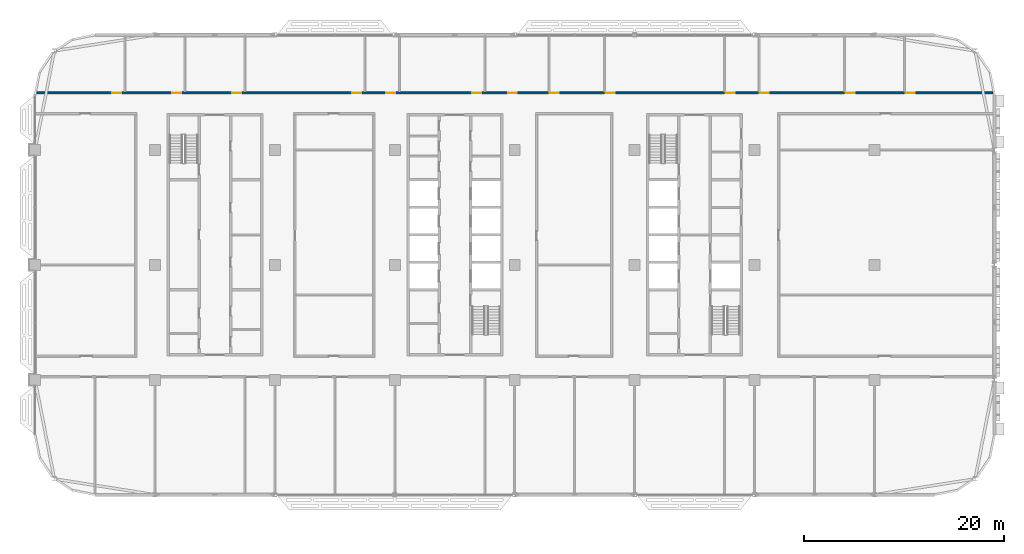
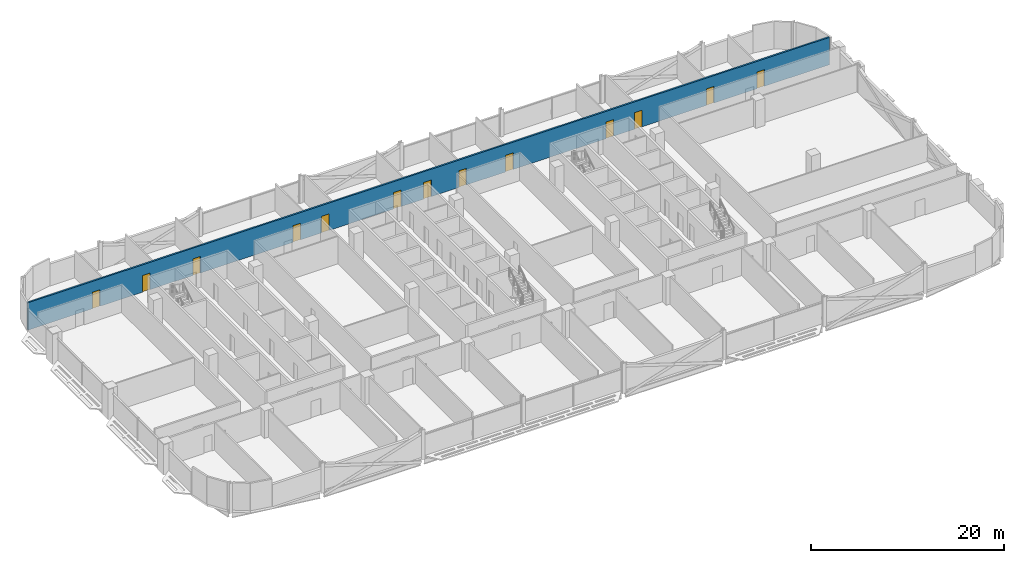
# One storey, part 16 of 30: 13 doors, 1 wall, 13 openings.
"""IFC4 building model written with IfcOpenShell, lengths in metres."""

from ifc_helpers import new_model, si_unit, direction, frame, frame_2d, origin, place, context, subcontext, project, spatial, rectangle, extrude, material, layer, layer_set, type_object, element, fill, save


model = new_model("IFC4")

# Units and contexts
model_context = context("Model", 3, precision=1e-05, world=origin(), true_north=direction((0.0, 1.0)))
body_context = subcontext(model_context, "Body", "Model", "MODEL_VIEW")
ifc_project = project(units=[si_unit("LENGTHUNIT", "METRE"), si_unit("AREAUNIT", "SQUARE_METRE"), si_unit("VOLUMEUNIT", "CUBIC_METRE"), si_unit("PLANEANGLEUNIT", "RADIAN"), si_unit("MASSUNIT", "GRAM", prefix="KILO")], contexts=[model_context])

# Site, building, storey
site_placement = place(None, origin())
site = spatial("IfcSite", under=ifc_project, at=site_placement, CompositionType="ELEMENT")
building_placement = place(site_placement, origin())
building = spatial("IfcBuilding", under=site, at=building_placement, Name="Mahtab Terrace Research Tower", CompositionType="ELEMENT")
storey_placement = place(building_placement, frame((0.0, 0.0, 201.5)))
storey = spatial("IfcBuildingStorey", under=building, at=storey_placement, Name="L48", CompositionType="ELEMENT", Elevation=201.5)

# Wall, openings, doors
ifc_material_1 = material(Name="Gypsum board corridor wall on steel studs", Category="steel")
ifc_layer = layer(ifc_material_1, 0.199951171875)
ifc_layer_set = layer_set([ifc_layer], Name="WALL CORRIDOR 200")
wall_type = type_object("IfcWallType", Name="WALL CORRIDOR 200", PredefinedType="PARTITIONING", material=ifc_layer_set)
wall_placement = place(storey_placement, frame((-41.97509765625, 17.199951171875, 0.0), z_axis=(0.0, 0.0, 1.0), x_axis=(1.0, 0.0, 0.0)))
wall = element("IfcWall", 1, at=wall_placement, inside=storey, type_object=wall_type, Name="L48-W024", PredefinedType="PARTITIONING", context=body_context, shape_type="SweptSolid", body=[
    extrude(rectangle(XDim=95.782470703125, YDim=0.199951171875, at=frame_2d((47.89111328125, 0.0))), origin(), (0.0, 0.0, 1.0), 3.4599609375),
])
opening_1_placement = place(wall_placement, frame((7.699951171875, 0.0, 0.0)))
opening_1 = element("IfcOpeningElement", 2, at=opening_1_placement, cuts=wall, Name="Opening L48-126", PredefinedType="OPENING", context=body_context, shape_type="SweptSolid", body=[
    extrude(rectangle(XDim=0.89990234375, YDim=2.10009765625, at=frame_2d((0.449951171875, 1.050048828125))), frame((0.0, 0.10986328125, 0.0), z_axis=(0.0, -1.0, 0.0), x_axis=(1.0, 0.0, 0.0)), (0.0, 0.0, 1.0), 0.219970703125),
])
opening_2_placement = place(wall_placement, frame((13.699951171875, 0.0, 0.0)))
opening_2 = element("IfcOpeningElement", 3, at=opening_2_placement, cuts=wall, Name="Opening L48-127", PredefinedType="OPENING", context=body_context, shape_type="SweptSolid", body=[
    extrude(rectangle(XDim=0.89990234375, YDim=2.10009765625, at=frame_2d((0.449951171875, 1.050048828125))), frame((0.0, 0.10986328125, 0.0), z_axis=(0.0, -1.0, 0.0), x_axis=(1.0, 0.0, 0.0)), (0.0, 0.0, 1.0), 0.219970703125),
])
opening_3_placement = place(wall_placement, frame((19.699951171875, 0.0, 0.0)))
opening_3 = element("IfcOpeningElement", 4, at=opening_3_placement, cuts=wall, Name="Opening L48-128", PredefinedType="OPENING", context=body_context, shape_type="SweptSolid", body=[
    extrude(rectangle(XDim=0.89990234375, YDim=2.10009765625, at=frame_2d((0.449951171875, 1.050048828125))), frame((0.0, 0.10986328125, 0.0), z_axis=(0.0, -1.0, 0.0), x_axis=(1.0, 0.0, 0.0)), (0.0, 0.0, 1.0), 0.219970703125),
])
opening_4_placement = place(wall_placement, frame((31.699951171875, 0.0, 0.0)))
opening_4 = element("IfcOpeningElement", 5, at=opening_4_placement, cuts=wall, Name="Opening L48-129", PredefinedType="OPENING", context=body_context, shape_type="SweptSolid", body=[
    extrude(rectangle(XDim=0.89990234375, YDim=2.10009765625, at=frame_2d((0.449951171875, 1.050048828125))), frame((0.0, 0.10986328125, 0.0), z_axis=(0.0, -1.0, 0.0), x_axis=(1.0, 0.0, 0.0)), (0.0, 0.0, 1.0), 0.219970703125),
])
opening_5_placement = place(wall_placement, frame((35.10009765625, 0.0, 0.0)))
opening_5 = element("IfcOpeningElement", 6, at=opening_5_placement, cuts=wall, Name="Opening L48-130", PredefinedType="OPENING", context=body_context, shape_type="SweptSolid", body=[
    extrude(rectangle(XDim=0.89990234375, YDim=2.10009765625, at=frame_2d((0.449951171875, 1.050048828125))), frame((0.0, 0.10986328125, 0.0), z_axis=(0.0, -1.0, 0.0), x_axis=(1.0, 0.0, 0.0)), (0.0, 0.0, 1.0), 0.219970703125),
])
opening_6_placement = place(wall_placement, frame((43.699951171875, 0.0, 0.0)))
opening_6 = element("IfcOpeningElement", 7, at=opening_6_placement, cuts=wall, Name="Opening L48-131", PredefinedType="OPENING", context=body_context, shape_type="SweptSolid", body=[
    extrude(rectangle(XDim=0.89990234375, YDim=2.10009765625, at=frame_2d((0.449951171875, 1.050048828125))), frame((0.0, 0.10986328125, 0.0), z_axis=(0.0, -1.0, 0.0), x_axis=(1.0, 0.0, 0.0)), (0.0, 0.0, 1.0), 0.219970703125),
])
opening_7_placement = place(wall_placement, frame((47.300048828125, 0.0, 0.0)))
opening_7 = element("IfcOpeningElement", 8, at=opening_7_placement, cuts=wall, Name="Opening L48-132", PredefinedType="OPENING", context=body_context, shape_type="SweptSolid", body=[
    extrude(rectangle(XDim=0.89990234375, YDim=2.10009765625, at=frame_2d((0.449951171875, 1.050048828125))), frame((0.0, 0.10986328125, 0.0), z_axis=(0.0, -1.0, 0.0), x_axis=(1.0, 0.0, 0.0)), (0.0, 0.0, 1.0), 0.219970703125),
])
opening_8_placement = place(wall_placement, frame((51.5, 0.0, 0.0)))
opening_8 = element("IfcOpeningElement", 9, at=opening_8_placement, cuts=wall, Name="Opening L48-133", PredefinedType="OPENING", context=body_context, shape_type="SweptSolid", body=[
    extrude(rectangle(XDim=0.89990234375, YDim=2.10009765625, at=frame_2d((0.449951171875, 1.050048828125))), frame((0.0, 0.10986328125, 0.0), z_axis=(0.0, -1.0, 0.0), x_axis=(1.0, 0.0, 0.0)), (0.0, 0.0, 1.0), 0.219970703125),
])
opening_9_placement = place(wall_placement, frame((57.10009765625, 0.0, 0.0)))
opening_9 = element("IfcOpeningElement", 10, at=opening_9_placement, cuts=wall, Name="Opening L48-134", PredefinedType="OPENING", context=body_context, shape_type="SweptSolid", body=[
    extrude(rectangle(XDim=0.89990234375, YDim=2.10009765625, at=frame_2d((0.449951171875, 1.050048828125))), frame((0.0, 0.10986328125, 0.0), z_axis=(0.0, -1.0, 0.0), x_axis=(1.0, 0.0, 0.0)), (0.0, 0.0, 1.0), 0.219970703125),
])
opening_10_placement = place(wall_placement, frame((69.10009765625, 0.0, 0.0)))
opening_10 = element("IfcOpeningElement", 11, at=opening_10_placement, cuts=wall, Name="Opening L48-135", PredefinedType="OPENING", context=body_context, shape_type="SweptSolid", body=[
    extrude(rectangle(XDim=0.89990234375, YDim=2.10009765625, at=frame_2d((0.449951171875, 1.050048828125))), frame((0.0, 0.10986328125, 0.0), z_axis=(0.0, -1.0, 0.0), x_axis=(1.0, 0.0, 0.0)), (0.0, 0.0, 1.0), 0.219970703125),
])
opening_11_placement = place(wall_placement, frame((72.5, 0.0, 0.0)))
opening_11 = element("IfcOpeningElement", 12, at=opening_11_placement, cuts=wall, Name="Opening L48-136", PredefinedType="OPENING", context=body_context, shape_type="SweptSolid", body=[
    extrude(rectangle(XDim=0.89990234375, YDim=2.10009765625, at=frame_2d((0.449951171875, 1.050048828125))), frame((0.0, 0.10986328125, 0.0), z_axis=(0.0, -1.0, 0.0), x_axis=(1.0, 0.0, 0.0)), (0.0, 0.0, 1.0), 0.219970703125),
])
opening_12_placement = place(wall_placement, frame((81.10009765625, 0.0, 0.0)))
opening_12 = element("IfcOpeningElement", 13, at=opening_12_placement, cuts=wall, Name="Opening L48-137", PredefinedType="OPENING", context=body_context, shape_type="SweptSolid", body=[
    extrude(rectangle(XDim=0.89990234375, YDim=2.10009765625, at=frame_2d((0.449951171875, 1.050048828125))), frame((0.0, 0.10986328125, 0.0), z_axis=(0.0, -1.0, 0.0), x_axis=(1.0, 0.0, 0.0)), (0.0, 0.0, 1.0), 0.219970703125),
])
opening_13_placement = place(wall_placement, frame((87.10009765625, 0.0, 0.0)))
opening_13 = element("IfcOpeningElement", 14, at=opening_13_placement, cuts=wall, Name="Opening L48-138", PredefinedType="OPENING", context=body_context, shape_type="SweptSolid", body=[
    extrude(rectangle(XDim=0.89990234375, YDim=2.10009765625, at=frame_2d((0.449951171875, 1.050048828125))), frame((0.0, 0.10986328125, 0.0), z_axis=(0.0, -1.0, 0.0), x_axis=(1.0, 0.0, 0.0)), (0.0, 0.0, 1.0), 0.219970703125),
])
ifc_material_2 = material(Name="Timber door leaf in steel frame", Category="steel")
door_type = type_object("IfcDoorType", Name="DOOR 0900X2100 FD30S", OperationType="SINGLE_SWING_LEFT", PredefinedType="DOOR", material=ifc_material_2)
door_1_placement = place(opening_1_placement, origin())
door_1 = element("IfcDoor", 15, at=door_1_placement, inside=storey, type_object=door_type, Name="Door L48-126", OperationType="SINGLE_SWING_LEFT", OverallHeight=2.10009765625, OverallWidth=0.89990234375, PredefinedType="DOOR", context=body_context, shape_type="SweptSolid", body=[
    extrude(rectangle(XDim=0.89990234375, YDim=2.10009765625, at=frame_2d((0.449951171875, 1.050048828125))), frame((0.0, 0.02490234375, 0.0), z_axis=(0.0, -1.0, 0.0), x_axis=(1.0, 0.0, 0.0)), (0.0, 0.0, 1.0), 0.050048828125),
])
fill(opening_1, door_1)
door_2_placement = place(opening_2_placement, origin())
door_2 = element("IfcDoor", 16, at=door_2_placement, inside=storey, type_object=door_type, Name="Door L48-127", OperationType="SINGLE_SWING_LEFT", OverallHeight=2.10009765625, OverallWidth=0.89990234375, PredefinedType="DOOR", context=body_context, shape_type="SweptSolid", body=[
    extrude(rectangle(XDim=0.89990234375, YDim=2.10009765625, at=frame_2d((0.449951171875, 1.050048828125))), frame((0.0, 0.02490234375, 0.0), z_axis=(0.0, -1.0, 0.0), x_axis=(1.0, 0.0, 0.0)), (0.0, 0.0, 1.0), 0.050048828125),
])
fill(opening_2, door_2)
door_3_placement = place(opening_3_placement, origin())
door_3 = element("IfcDoor", 17, at=door_3_placement, inside=storey, type_object=door_type, Name="Door L48-128", OperationType="SINGLE_SWING_LEFT", OverallHeight=2.10009765625, OverallWidth=0.89990234375, PredefinedType="DOOR", context=body_context, shape_type="SweptSolid", body=[
    extrude(rectangle(XDim=0.89990234375, YDim=2.10009765625, at=frame_2d((0.449951171875, 1.050048828125))), frame((0.0, 0.02490234375, 0.0), z_axis=(0.0, -1.0, 0.0), x_axis=(1.0, 0.0, 0.0)), (0.0, 0.0, 1.0), 0.050048828125),
])
fill(opening_3, door_3)
door_4_placement = place(opening_4_placement, origin())
door_4 = element("IfcDoor", 18, at=door_4_placement, inside=storey, type_object=door_type, Name="Door L48-129", OperationType="SINGLE_SWING_LEFT", OverallHeight=2.10009765625, OverallWidth=0.89990234375, PredefinedType="DOOR", context=body_context, shape_type="SweptSolid", body=[
    extrude(rectangle(XDim=0.89990234375, YDim=2.10009765625, at=frame_2d((0.449951171875, 1.050048828125))), frame((0.0, 0.02490234375, 0.0), z_axis=(0.0, -1.0, 0.0), x_axis=(1.0, 0.0, 0.0)), (0.0, 0.0, 1.0), 0.050048828125),
])
fill(opening_4, door_4)
door_5_placement = place(opening_5_placement, origin())
door_5 = element("IfcDoor", 19, at=door_5_placement, inside=storey, type_object=door_type, Name="Door L48-130", OperationType="SINGLE_SWING_LEFT", OverallHeight=2.10009765625, OverallWidth=0.89990234375, PredefinedType="DOOR", context=body_context, shape_type="SweptSolid", body=[
    extrude(rectangle(XDim=0.89990234375, YDim=2.10009765625, at=frame_2d((0.449951171875, 1.050048828125))), frame((0.0, 0.02490234375, 0.0), z_axis=(0.0, -1.0, 0.0), x_axis=(1.0, 0.0, 0.0)), (0.0, 0.0, 1.0), 0.050048828125),
])
fill(opening_5, door_5)
door_6_placement = place(opening_6_placement, origin())
door_6 = element("IfcDoor", 20, at=door_6_placement, inside=storey, type_object=door_type, Name="Door L48-131", OperationType="SINGLE_SWING_LEFT", OverallHeight=2.10009765625, OverallWidth=0.89990234375, PredefinedType="DOOR", context=body_context, shape_type="SweptSolid", body=[
    extrude(rectangle(XDim=0.89990234375, YDim=2.10009765625, at=frame_2d((0.449951171875, 1.050048828125))), frame((0.0, 0.02490234375, 0.0), z_axis=(0.0, -1.0, 0.0), x_axis=(1.0, 0.0, 0.0)), (0.0, 0.0, 1.0), 0.050048828125),
])
fill(opening_6, door_6)
door_7_placement = place(opening_7_placement, origin())
door_7 = element("IfcDoor", 21, at=door_7_placement, inside=storey, type_object=door_type, Name="Door L48-132", OperationType="SINGLE_SWING_LEFT", OverallHeight=2.10009765625, OverallWidth=0.89990234375, PredefinedType="DOOR", context=body_context, shape_type="SweptSolid", body=[
    extrude(rectangle(XDim=0.89990234375, YDim=2.10009765625, at=frame_2d((0.449951171875, 1.050048828125))), frame((0.0, 0.02490234375, 0.0), z_axis=(0.0, -1.0, 0.0), x_axis=(1.0, 0.0, 0.0)), (0.0, 0.0, 1.0), 0.050048828125),
])
fill(opening_7, door_7)
door_8_placement = place(opening_8_placement, origin())
door_8 = element("IfcDoor", 22, at=door_8_placement, inside=storey, type_object=door_type, Name="Door L48-133", OperationType="SINGLE_SWING_RIGHT", OverallHeight=2.10009765625, OverallWidth=0.89990234375, PredefinedType="DOOR", context=body_context, shape_type="SweptSolid", body=[
    extrude(rectangle(XDim=0.89990234375, YDim=2.10009765625, at=frame_2d((0.449951171875, 1.050048828125))), frame((0.0, 0.02490234375, 0.0), z_axis=(0.0, -1.0, 0.0), x_axis=(1.0, 0.0, 0.0)), (0.0, 0.0, 1.0), 0.050048828125),
])
fill(opening_8, door_8)
door_9_placement = place(opening_9_placement, origin())
door_9 = element("IfcDoor", 23, at=door_9_placement, inside=storey, type_object=door_type, Name="Door L48-134", OperationType="SINGLE_SWING_RIGHT", OverallHeight=2.10009765625, OverallWidth=0.89990234375, PredefinedType="DOOR", context=body_context, shape_type="SweptSolid", body=[
    extrude(rectangle(XDim=0.89990234375, YDim=2.10009765625, at=frame_2d((0.449951171875, 1.050048828125))), frame((0.0, 0.02490234375, 0.0), z_axis=(0.0, -1.0, 0.0), x_axis=(1.0, 0.0, 0.0)), (0.0, 0.0, 1.0), 0.050048828125),
])
fill(opening_9, door_9)
door_10_placement = place(opening_10_placement, origin())
door_10 = element("IfcDoor", 24, at=door_10_placement, inside=storey, type_object=door_type, Name="Door L48-135", OperationType="SINGLE_SWING_RIGHT", OverallHeight=2.10009765625, OverallWidth=0.89990234375, PredefinedType="DOOR", context=body_context, shape_type="SweptSolid", body=[
    extrude(rectangle(XDim=0.89990234375, YDim=2.10009765625, at=frame_2d((0.449951171875, 1.050048828125))), frame((0.0, 0.02490234375, 0.0), z_axis=(0.0, -1.0, 0.0), x_axis=(1.0, 0.0, 0.0)), (0.0, 0.0, 1.0), 0.050048828125),
])
fill(opening_10, door_10)
door_11_placement = place(opening_11_placement, origin())
door_11 = element("IfcDoor", 25, at=door_11_placement, inside=storey, type_object=door_type, Name="Door L48-136", OperationType="SINGLE_SWING_RIGHT", OverallHeight=2.10009765625, OverallWidth=0.89990234375, PredefinedType="DOOR", context=body_context, shape_type="SweptSolid", body=[
    extrude(rectangle(XDim=0.89990234375, YDim=2.10009765625, at=frame_2d((0.449951171875, 1.050048828125))), frame((0.0, 0.02490234375, 0.0), z_axis=(0.0, -1.0, 0.0), x_axis=(1.0, 0.0, 0.0)), (0.0, 0.0, 1.0), 0.050048828125),
])
fill(opening_11, door_11)
door_12_placement = place(opening_12_placement, origin())
door_12 = element("IfcDoor", 26, at=door_12_placement, inside=storey, type_object=door_type, Name="Door L48-137", OperationType="SINGLE_SWING_RIGHT", OverallHeight=2.10009765625, OverallWidth=0.89990234375, PredefinedType="DOOR", context=body_context, shape_type="SweptSolid", body=[
    extrude(rectangle(XDim=0.89990234375, YDim=2.10009765625, at=frame_2d((0.449951171875, 1.050048828125))), frame((0.0, 0.02490234375, 0.0), z_axis=(0.0, -1.0, 0.0), x_axis=(1.0, 0.0, 0.0)), (0.0, 0.0, 1.0), 0.050048828125),
])
fill(opening_12, door_12)
door_13_placement = place(opening_13_placement, origin())
door_13 = element("IfcDoor", 27, at=door_13_placement, inside=storey, type_object=door_type, Name="Door L48-138", OperationType="SINGLE_SWING_RIGHT", OverallHeight=2.10009765625, OverallWidth=0.89990234375, PredefinedType="DOOR", context=body_context, shape_type="SweptSolid", body=[
    extrude(rectangle(XDim=0.89990234375, YDim=2.10009765625, at=frame_2d((0.449951171875, 1.050048828125))), frame((0.0, 0.02490234375, 0.0), z_axis=(0.0, -1.0, 0.0), x_axis=(1.0, 0.0, 0.0)), (0.0, 0.0, 1.0), 0.050048828125),
])
fill(opening_13, door_13)

save(model, "model.ifc")
